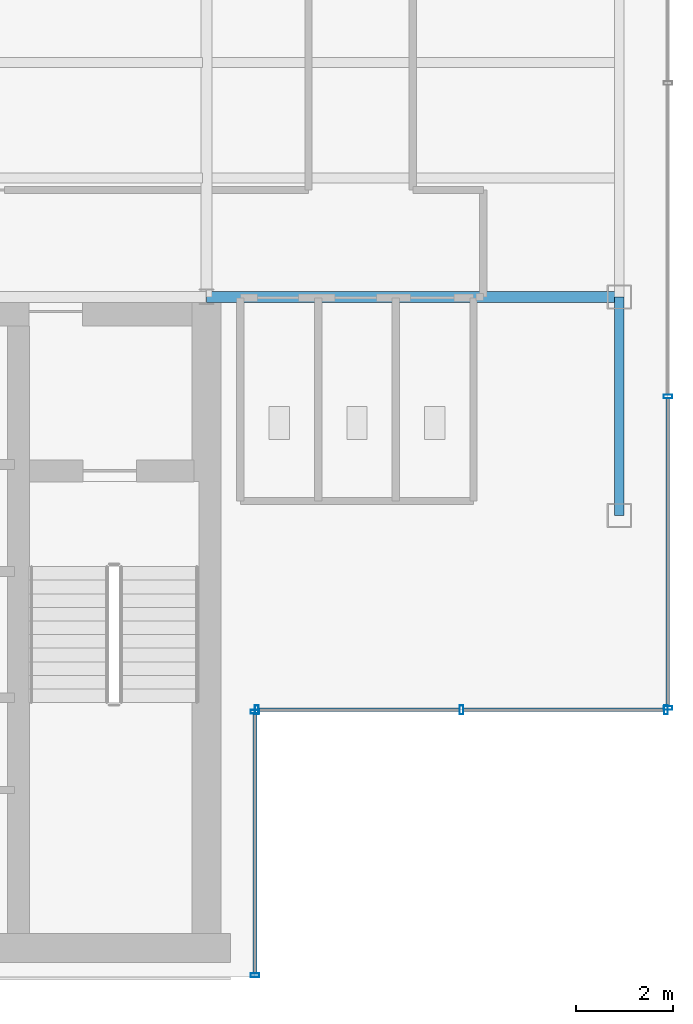
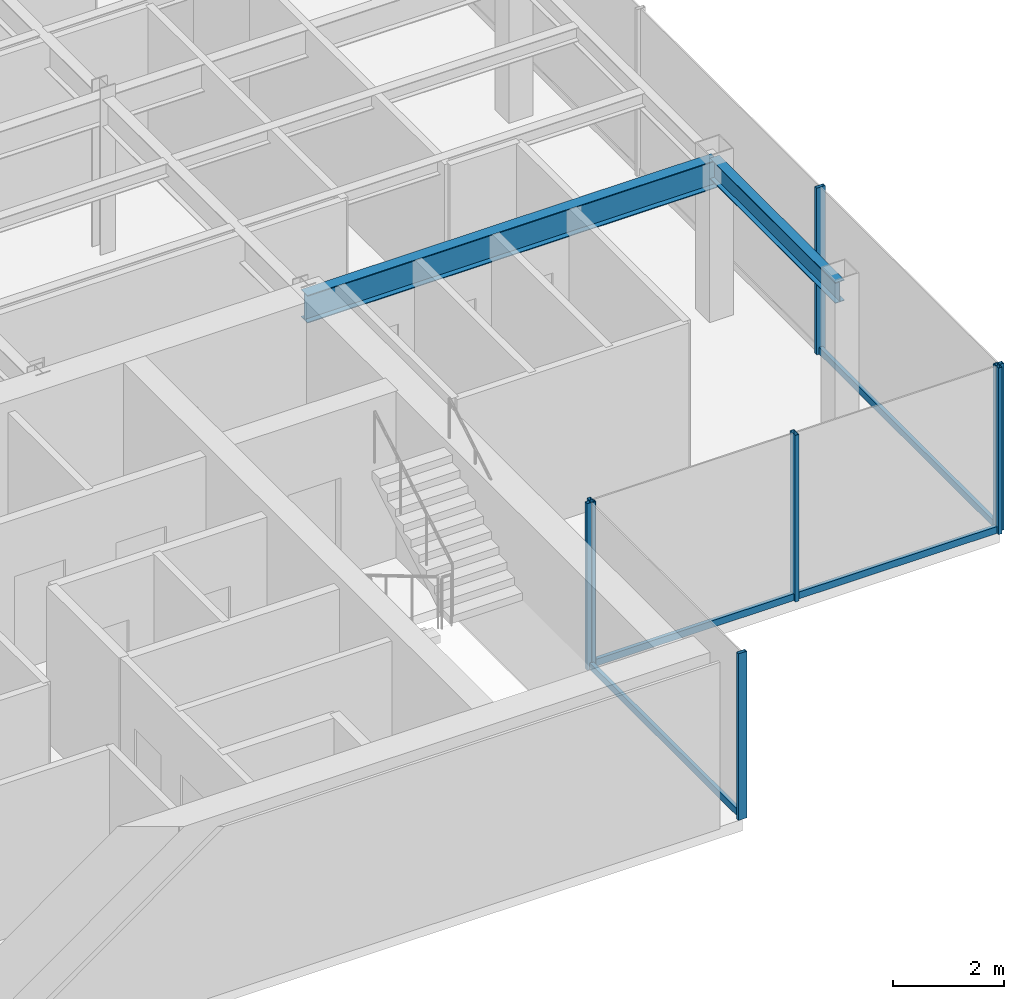
# One storey, part 9 of 22: 11 members, 2 beams, 3 elements without a shape of their own.
"""IFC4 building model written with IfcOpenShell, lengths in metres."""

from ifc_helpers import new_model, si_unit, derived_unit, direction, frame, origin, origin_2d, place, context, subcontext, project, spatial, hollow_rectangle, i_section, extrude, source, transform, mapped, material, material_profile, profile_set, type_object, element, aggregate, save


model = new_model("IFC4")

# Units and contexts
model_context = context("Model", 3, precision=1e-05, world=origin(), true_north=direction((0.0, 1.0)))
body_context = subcontext(model_context, "Body", "Model", "MODEL_VIEW")
ifc_project = project(units=[si_unit("LENGTHUNIT", "METRE"), si_unit("AREAUNIT", "SQUARE_METRE"), si_unit("VOLUMEUNIT", "CUBIC_METRE"), si_unit("PLANEANGLEUNIT", "RADIAN"), si_unit("MASSUNIT", "GRAM", prefix="KILO"), derived_unit("THERMALTRANSMITTANCEUNIT", [(si_unit("POWERUNIT", "WATT"), 1), (si_unit("LENGTHUNIT", "METRE"), -2), (si_unit("THERMODYNAMICTEMPERATUREUNIT", "KELVIN"), -1)])], contexts=[model_context])

# Site, building, storey
site_placement = place(None, origin())
site = spatial("IfcSite", under=ifc_project, at=site_placement, CompositionType="ELEMENT")
building_placement = place(site_placement, origin())
building = spatial("IfcBuilding", under=site, at=building_placement, Name="Skarnbrae Concourse Arena and Tower", CompositionType="ELEMENT")
storey_placement = place(building_placement, frame((0.0, 0.0, 251.5)))
storey = spatial("IfcBuildingStorey", under=building, at=storey_placement, Name="L65", CompositionType="ELEMENT", Elevation=251.5)

# Beams
ifc_material_1 = material(Name="Steel CSA G40.21 350W", Category="steel")
ifc_material_profile_1 = material_profile(ifc_material_1, i_section(OverallWidth=0.22802734375, OverallDepth=0.60791015625, WebThickness=0.01123046875, FlangeThickness=0.017333984375, at=origin_2d()), Name="W610X113")
ifc_profile_set_1 = profile_set([ifc_material_profile_1], Name="Steel CSA G40.21 350W")
beam_type_1 = type_object("IfcBeamType", Name="BM-GIRD-W610X113", PredefinedType="BEAM", material=ifc_profile_set_1)
shared_shape_1 = source(origin(), body_context, "Body", "SweptSolid", [
    extrude(i_section(OverallWidth=0.22802734375, OverallDepth=0.60791015625, WebThickness=0.01123046875, FlangeThickness=0.017333984375, at=origin_2d()), origin(), (0.0, 0.0, 1.0), 8.5),
])
beam_1_placement = place(storey_placement, frame((33.5, 14.0, 3.095947265625), z_axis=(1.0, 0.0, 0.0), x_axis=(0.0, 1.0, 0.0)))
element("IfcBeam", 1, at=beam_1_placement, inside=storey, type_object=beam_type_1, Name="L65 Primary E-W girder Y14.0-6", PredefinedType="BEAM", context=body_context, shape_type="MappedRepresentation", body=[
    mapped(shared_shape_1, transform((0.0, 0.0, 0.0))),
])
ifc_material_profile_2 = material_profile(ifc_material_1, i_section(OverallWidth=0.19091796875, OverallDepth=0.4599609375, WebThickness=0.010009765625, FlangeThickness=0.01611328125, at=origin_2d()), Name="W460X82")
ifc_profile_set_2 = profile_set([ifc_material_profile_2], Name="Steel CSA G40.21 350W")
beam_type_2 = type_object("IfcBeamType", Name="BM-SPAN-W460X82", PredefinedType="SPANDREL", material=ifc_profile_set_2)
shared_shape_2 = source(origin(), body_context, "Body", "SweptSolid", [
    extrude(i_section(OverallWidth=0.19091796875, OverallDepth=0.4599609375, WebThickness=0.010009765625, FlangeThickness=0.01611328125, at=origin_2d()), origin(), (0.0, 0.0, 1.0), 4.5),
])
beam_2_placement = place(storey_placement, frame((42.0, 9.5, 3.169921875), z_axis=(0.0, 1.0, 0.0), x_axis=(-1.0, 0.0, 0.0)))
element("IfcBeam", 2, at=beam_2_placement, inside=storey, type_object=beam_type_2, Name="L65 Perimeter spandrel X42.0-1", PredefinedType="SPANDREL", context=body_context, shape_type="MappedRepresentation", body=[
    mapped(shared_shape_2, transform((0.0, 0.0, 0.0))),
])

# Curtain wall, members
ifc_material_2 = material(Name="Bronze anodised aluminium 6063-T6", Category="aluminium")
curtain_wall_type = type_object("IfcCurtainWallType", Name="CW-SYS-05-HIGHZONE", PredefinedType="USERDEFINED", material=ifc_material_2)
curtain_wall_1_placement = place(storey_placement, origin())
curtain_wall_1 = element("IfcCurtainWall", 3, at=curtain_wall_1_placement, inside=storey, type_object=curtain_wall_type, Name="L65 Unitised curtain wall CW-L65-E02", ObjectType="UNITISED CURTAIN WALL", PredefinedType="USERDEFINED")
ifc_material_profile_3 = material_profile(ifc_material_2, hollow_rectangle(XDim=0.074951171875, YDim=0.179931640625, WallThickness=0.00390625, at=origin_2d()), Name="ALU-MULL-75X180")
ifc_profile_set_3 = profile_set([ifc_material_profile_3], Name="Bronze anodised aluminium 6063-T6")
member_type_1 = type_object("IfcMemberType", Name="CWM-CW-05", PredefinedType="MULLION", material=ifc_profile_set_3)
shared_shape_3 = source(origin(), body_context, "Body", "SweptSolid", [
    extrude(hollow_rectangle(XDim=0.074951171875, YDim=0.179931640625, WallThickness=0.00390625, at=origin_2d()), origin(), (0.0, 0.0, 1.0), 3.64990234375),
])
member_1_placement = place(storey_placement, frame((34.5, 0.03759765625, 0.0), z_axis=(0.0, 0.0, 1.0), x_axis=(0.0, 1.0, 0.0)))
member_1 = element("IfcMember", 4, at=member_1_placement, type_object=member_type_1, Name="CW-L65-E02 Mullion 1", PredefinedType="MULLION", context=body_context, shape_type="MappedRepresentation", body=[
    mapped(shared_shape_3, transform((0.0, 0.0, 0.0))),
])
member_2_placement = place(storey_placement, frame((34.5, 5.46240234375, 0.0), z_axis=(0.0, 0.0, 1.0), x_axis=(0.0, 1.0, 0.0)))
member_2 = element("IfcMember", 5, at=member_2_placement, type_object=member_type_1, Name="CW-L65-E02 Mullion 2", PredefinedType="MULLION", context=body_context, shape_type="MappedRepresentation", body=[
    mapped(shared_shape_3, transform((0.0, 0.0, 0.0))),
])

curtain_wall_2_placement = place(storey_placement, origin())
curtain_wall_2 = element("IfcCurtainWall", 6, at=curtain_wall_2_placement, inside=storey, type_object=curtain_wall_type, Name="L65 Unitised curtain wall CW-L65-E03", ObjectType="UNITISED CURTAIN WALL", PredefinedType="USERDEFINED")
member_3_placement = place(storey_placement, frame((34.53759765625, 5.5, 0.0), z_axis=(0.0, 0.0, 1.0), x_axis=(1.0, 0.0, 0.0)))
member_3 = element("IfcMember", 7, at=member_3_placement, type_object=member_type_1, Name="CW-L65-E03 Mullion 1", PredefinedType="MULLION", context=body_context, shape_type="MappedRepresentation", body=[
    mapped(shared_shape_3, transform((0.0, 0.0, 0.0))),
])
member_4_placement = place(storey_placement, frame((38.75, 5.5, 0.0), z_axis=(0.0, 0.0, 1.0), x_axis=(1.0, 0.0, 0.0)))
member_4 = element("IfcMember", 8, at=member_4_placement, type_object=member_type_1, Name="CW-L65-E03 Mullion 2", PredefinedType="MULLION", context=body_context, shape_type="MappedRepresentation", body=[
    mapped(shared_shape_3, transform((0.0, 0.0, 0.0))),
])
member_5_placement = place(storey_placement, frame((42.96240234375, 5.5, 0.0), z_axis=(0.0, 0.0, 1.0), x_axis=(1.0, 0.0, 0.0)))
member_5 = element("IfcMember", 9, at=member_5_placement, type_object=member_type_1, Name="CW-L65-E03 Mullion 3", PredefinedType="MULLION", context=body_context, shape_type="MappedRepresentation", body=[
    mapped(shared_shape_3, transform((0.0, 0.0, 0.0))),
])

curtain_wall_3_placement = place(storey_placement, origin())
curtain_wall_3 = element("IfcCurtainWall", 10, at=curtain_wall_3_placement, inside=storey, type_object=curtain_wall_type, Name="L65 Unitised curtain wall CW-L65-E04", ObjectType="UNITISED CURTAIN WALL", PredefinedType="USERDEFINED")
member_6_placement = place(storey_placement, frame((43.0, 5.53759765625, 0.0), z_axis=(0.0, 0.0, 1.0), x_axis=(0.0, 1.0, 0.0)))
member_6 = element("IfcMember", 11, at=member_6_placement, type_object=member_type_1, Name="CW-L65-E04 Mullion 1", PredefinedType="MULLION", context=body_context, shape_type="MappedRepresentation", body=[
    mapped(shared_shape_3, transform((0.0, 0.0, 0.0))),
])
member_7_placement = place(storey_placement, frame((43.0, 11.949951171875, 0.0), z_axis=(0.0, 0.0, 1.0), x_axis=(0.0, 1.0, 0.0)))
member_7 = element("IfcMember", 12, at=member_7_placement, type_object=member_type_1, Name="CW-L65-E04 Mullion 2", PredefinedType="MULLION", context=body_context, shape_type="MappedRepresentation", body=[
    mapped(shared_shape_3, transform((0.0, 0.0, 0.0))),
])

# Member
ifc_material_profile_4 = material_profile(ifc_material_2, hollow_rectangle(XDim=0.074951171875, YDim=0.14990234375, WallThickness=0.00390625, at=origin_2d()), Name="ALU-TRAN-75X150")
ifc_profile_set_4 = profile_set([ifc_material_profile_4], Name="Bronze anodised aluminium 6063-T6")
member_type_2 = type_object("IfcMemberType", Name="CWT-CW-05", PredefinedType="USERDEFINED", material=ifc_profile_set_4)
shared_shape_4 = source(origin(), body_context, "Body", "SweptSolid", [
    extrude(hollow_rectangle(XDim=0.074951171875, YDim=0.14990234375, WallThickness=0.00390625, at=origin_2d()), origin(), (0.0, 0.0, 1.0), 5.35009765625),
])
member_8_placement = place(storey_placement, frame((34.5, 0.074951171875, 0.074951171875), z_axis=(0.0, 1.0, 0.0), x_axis=(-1.0, 0.0, 0.0)))
member_8 = element("IfcMember", 13, at=member_8_placement, type_object=member_type_2, Name="CW-L65-E02 Transom 1", ObjectType="TRANSOM", PredefinedType="USERDEFINED", context=body_context, shape_type="MappedRepresentation", body=[
    mapped(shared_shape_4, transform((0.0, 0.0, 0.0))),
])

aggregate(curtain_wall_1, [member_1, member_2, member_8])

shared_shape_5 = source(origin(), body_context, "Body", "SweptSolid", [
    extrude(hollow_rectangle(XDim=0.074951171875, YDim=0.14990234375, WallThickness=0.00390625, at=origin_2d()), origin(), (0.0, 0.0, 1.0), 4.137451171875),
])
member_9_placement = place(storey_placement, frame((34.574951171875, 5.5, 0.074951171875), z_axis=(1.0, 0.0, 0.0), x_axis=(0.0, 1.0, 0.0)))
member_9 = element("IfcMember", 14, at=member_9_placement, type_object=member_type_2, Name="CW-L65-E03 Transom 1", ObjectType="TRANSOM", PredefinedType="USERDEFINED", context=body_context, shape_type="MappedRepresentation", body=[
    mapped(shared_shape_5, transform((0.0, 0.0, 0.0))),
])

member_10_placement = place(storey_placement, frame((38.78759765625, 5.5, 0.074951171875), z_axis=(1.0, 0.0, 0.0), x_axis=(0.0, 1.0, 0.0)))
member_10 = element("IfcMember", 15, at=member_10_placement, type_object=member_type_2, Name="CW-L65-E03 Transom 2", ObjectType="TRANSOM", PredefinedType="USERDEFINED", context=body_context, shape_type="MappedRepresentation", body=[
    mapped(shared_shape_5, transform((0.0, 0.0, 0.0))),
])

aggregate(curtain_wall_2, [member_3, member_4, member_5, member_9, member_10])

shared_shape_6 = source(origin(), body_context, "Body", "SweptSolid", [
    extrude(hollow_rectangle(XDim=0.074951171875, YDim=0.14990234375, WallThickness=0.00390625, at=origin_2d()), origin(), (0.0, 0.0, 1.0), 6.337646484375),
])
member_11_placement = place(storey_placement, frame((43.0, 5.574951171875, 0.074951171875), z_axis=(0.0, 1.0, 0.0), x_axis=(-1.0, 0.0, 0.0)))
member_11 = element("IfcMember", 16, at=member_11_placement, type_object=member_type_2, Name="CW-L65-E04 Transom 1", ObjectType="TRANSOM", PredefinedType="USERDEFINED", context=body_context, shape_type="MappedRepresentation", body=[
    mapped(shared_shape_6, transform((0.0, 0.0, 0.0))),
])

aggregate(curtain_wall_3, [member_6, member_7, member_11])

save(model, "model.ifc")
